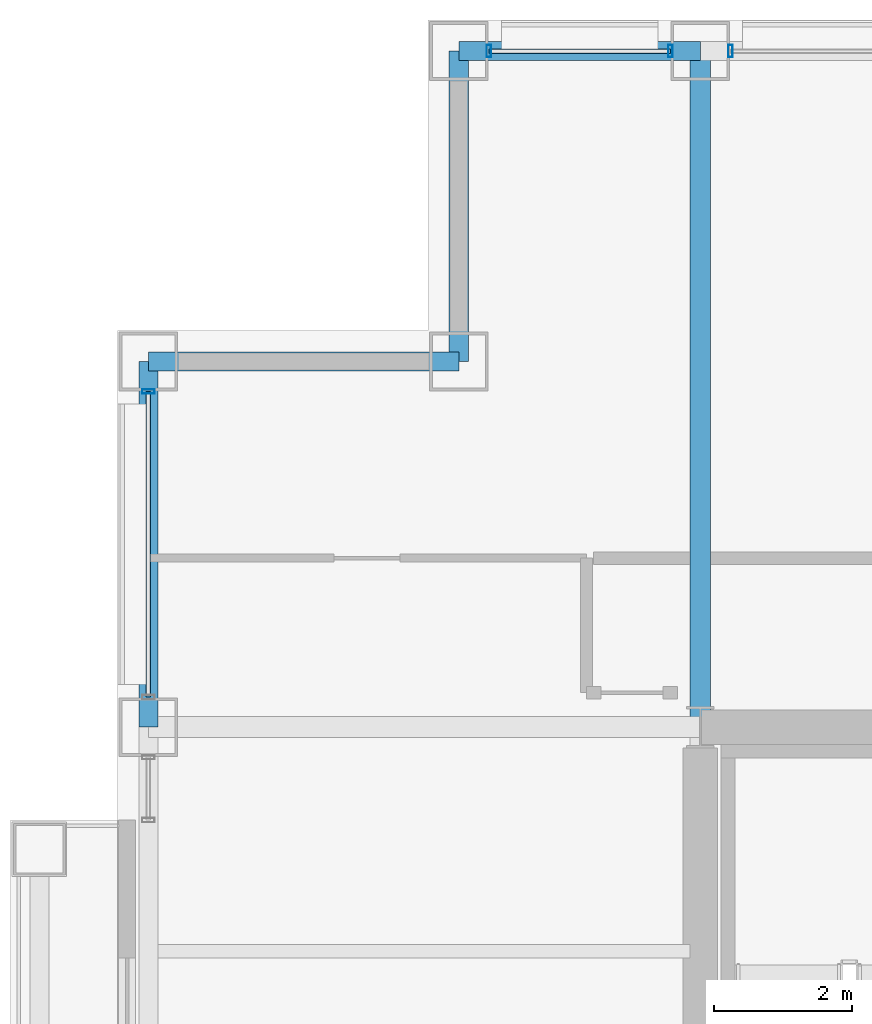
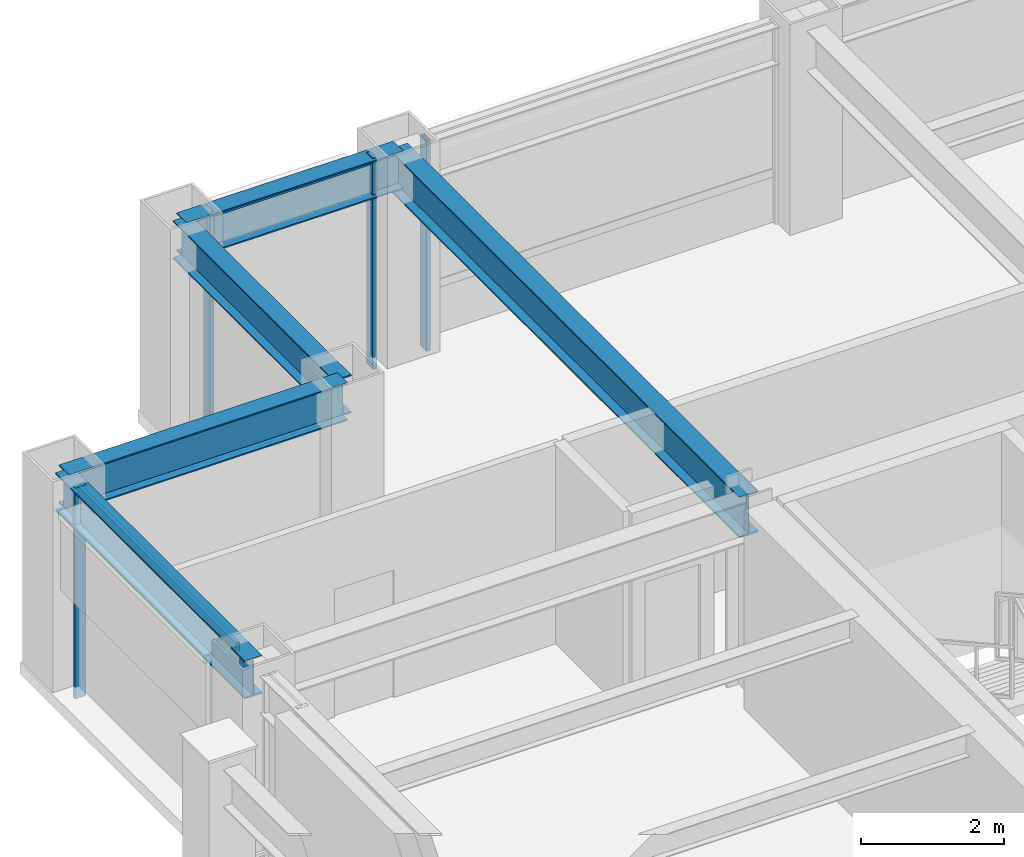
# One storey, part 17 of 29: 6 members, 5 beams, 3 elements without a shape of their own.
"""IFC4 building model written with IfcOpenShell, lengths in metres."""

from ifc_helpers import new_model, si_unit, direction, frame, origin, origin_2d, place, context, subcontext, project, spatial, hollow_rectangle, i_section, extrude, material, layer, layer_set, material_profile, profile_set, type_object, element, aggregate, save


model = new_model("IFC4")

# Units and contexts
model_context = context("Model", 3, precision=1e-05, world=origin(), true_north=direction((0.0, 1.0)))
body_context = subcontext(model_context, "Body", "Model", "MODEL_VIEW")
ifc_project = project(units=[si_unit("LENGTHUNIT", "METRE"), si_unit("AREAUNIT", "SQUARE_METRE"), si_unit("VOLUMEUNIT", "CUBIC_METRE"), si_unit("PLANEANGLEUNIT", "RADIAN"), si_unit("MASSUNIT", "GRAM", prefix="KILO")], contexts=[model_context])

# Site, building, storey
site_placement = place(None, origin())
site = spatial("IfcSite", under=ifc_project, at=site_placement, CompositionType="ELEMENT")
building_placement = place(site_placement, origin())
building = spatial("IfcBuilding", under=site, at=building_placement, Name="Brelmoor Portico Tower", CompositionType="ELEMENT")
storey_placement = place(building_placement, frame((0.0, 0.0, 95.39990234375)))
storey = spatial("IfcBuildingStorey", under=building, at=storey_placement, Name="L24", CompositionType="ELEMENT", Elevation=95.39990234375)

# Beams
ifc_material_1 = material(Name="Steel Q355B", Category="steel")
ifc_material_profile_1 = material_profile(ifc_material_1, i_section(OverallWidth=0.300048828125, OverallDepth=0.699951171875, WebThickness=0.012939453125, FlangeThickness=0.02392578125, at=origin_2d()), Name="HN 700x300x13x24")
ifc_profile_set_1 = profile_set([ifc_material_profile_1], Name="Steel Q355B")
beam_type_1 = type_object("IfcBeamType", Name="BM-PG-700", PredefinedType="BEAM", material=ifc_profile_set_1)
beam_1_placement = place(storey_placement, frame((-14.550048828125, 9.75, 3.050048828125), z_axis=(0.0, 1.0, 0.0), x_axis=(-1.0, 0.0, 0.0)))
element("IfcBeam", 1, at=beam_1_placement, inside=storey, type_object=beam_type_1, Name="L24 Primary Floor Girder PG-04", PredefinedType="BEAM", context=body_context, shape_type="SweptSolid", body=[
    extrude(i_section(OverallWidth=0.300048828125, OverallDepth=0.699951171875, WebThickness=0.012939453125, FlangeThickness=0.02392578125, at=origin_2d()), origin(), (0.0, 0.0, 1.0), 9.800048828125),
])
ifc_material_profile_2 = material_profile(ifc_material_1, i_section(OverallWidth=0.280029296875, OverallDepth=0.64990234375, WebThickness=0.012939453125, FlangeThickness=0.02197265625, at=origin_2d()), Name="HN 650x280x13x22")
ifc_profile_set_2 = profile_set([ifc_material_profile_2], Name="Steel Q355B")
beam_type_2 = type_object("IfcBeamType", Name="BM-SP-650", PredefinedType="SPANDREL", material=ifc_profile_set_2)
beam_2_placement = place(storey_placement, frame((-22.550048828125, 15.050048828125, 3.0751953125), z_axis=(1.0, 0.0, 0.0), x_axis=(0.0, 1.0, 0.0)))
element("IfcBeam", 2, at=beam_2_placement, inside=storey, type_object=beam_type_2, Name="L24 Perimeter Spandrel Beam SP-08", PredefinedType="SPANDREL", context=body_context, shape_type="SweptSolid", body=[
    extrude(i_section(OverallWidth=0.280029296875, OverallDepth=0.64990234375, WebThickness=0.012939453125, FlangeThickness=0.02197265625, at=origin_2d()), origin(), (0.0, 0.0, 1.0), 4.5),
])
beam_3_placement = place(storey_placement, frame((-18.050048828125, 19.550048828125, 3.0751953125), z_axis=(1.0, 0.0, 0.0), x_axis=(0.0, 1.0, 0.0)))
element("IfcBeam", 3, at=beam_3_placement, inside=storey, type_object=beam_type_2, Name="L24 Perimeter Spandrel Beam SP-10", PredefinedType="SPANDREL", context=body_context, shape_type="SweptSolid", body=[
    extrude(i_section(OverallWidth=0.280029296875, OverallDepth=0.64990234375, WebThickness=0.012939453125, FlangeThickness=0.02197265625, at=origin_2d()), origin(), (0.0, 0.0, 1.0), 3.5),
])
beam_4_placement = place(storey_placement, frame((-22.550048828125, 9.75, 3.0751953125), z_axis=(0.0, 1.0, 0.0), x_axis=(-1.0, 0.0, 0.0)))
element("IfcBeam", 4, at=beam_4_placement, inside=storey, type_object=beam_type_2, Name="L24 Perimeter Spandrel Beam SP-17", PredefinedType="SPANDREL", context=body_context, shape_type="SweptSolid", body=[
    extrude(i_section(OverallWidth=0.280029296875, OverallDepth=0.64990234375, WebThickness=0.012939453125, FlangeThickness=0.02197265625, at=origin_2d()), origin(), (0.0, 0.0, 1.0), 5.300048828125),
])
beam_5_placement = place(storey_placement, frame((-18.050048828125, 15.050048828125, 3.0751953125), z_axis=(0.0, 1.0, 0.0), x_axis=(-1.0, 0.0, 0.0)))
element("IfcBeam", 5, at=beam_5_placement, inside=storey, type_object=beam_type_2, Name="L24 Perimeter Spandrel Beam SP-19", PredefinedType="SPANDREL", context=body_context, shape_type="SweptSolid", body=[
    extrude(i_section(OverallWidth=0.280029296875, OverallDepth=0.64990234375, WebThickness=0.012939453125, FlangeThickness=0.02197265625, at=origin_2d()), origin(), (0.0, 0.0, 1.0), 4.5),
])

# Curtain wall, members
ifc_material_2 = material(Name="Anodised Aluminium Alloy 6063-T6", Category="aluminium")
ifc_layer_1 = layer(ifc_material_2, 0.179931640625)
ifc_layer_set_1 = layer_set([ifc_layer_1], Name="Anodised Aluminium Alloy 6063-T6")
curtain_wall_type_1 = type_object("IfcCurtainWallType", Name="CW-TOWER-Z2-XB", PredefinedType="NOTDEFINED", material=ifc_layer_set_1)
curtain_wall_1_placement = place(storey_placement, origin())
curtain_wall_1 = element("IfcCurtainWall", 6, at=curtain_wall_1_placement, inside=storey, type_object=curtain_wall_type_1, Name="L24 Curtain Wall CW-L24-02-1", PredefinedType="NOTDEFINED")
ifc_material_profile_3 = material_profile(ifc_material_2, hollow_rectangle(XDim=0.06494140625, YDim=0.179931640625, WallThickness=0.00390625, at=origin_2d()), Name="ALU MULLION 65x180")
ifc_profile_set_3 = profile_set([ifc_material_profile_3], Name="Anodised Aluminium Alloy 6063-T6")
member_type_1 = type_object("IfcMemberType", Name="MB-CW-MULL-180", PredefinedType="MULLION", material=ifc_profile_set_3)
member_1_placement = place(storey_placement, frame((-17.614990234375, 19.550048828125, -0.199951171875), z_axis=(0.0, 0.0, 1.0), x_axis=(1.0, 0.0, 0.0)))
member_1 = element("IfcMember", 7, at=member_1_placement, type_object=member_type_1, Name="CW-L24-02-1 Mullion 00", PredefinedType="MULLION", context=body_context, shape_type="SweptSolid", body=[
    extrude(hollow_rectangle(XDim=0.06494140625, YDim=0.179931640625, WallThickness=0.00390625, at=origin_2d()), origin(), (0.0, 0.0, 1.0), 3.60009765625),
])
member_2_placement = place(storey_placement, frame((-14.985107421875, 19.550048828125, -0.199951171875), z_axis=(0.0, 0.0, 1.0), x_axis=(1.0, 0.0, 0.0)))
member_2 = element("IfcMember", 8, at=member_2_placement, type_object=member_type_1, Name="CW-L24-02-1 Mullion 01", PredefinedType="MULLION", context=body_context, shape_type="SweptSolid", body=[
    extrude(hollow_rectangle(XDim=0.06494140625, YDim=0.179931640625, WallThickness=0.00390625, at=origin_2d()), origin(), (0.0, 0.0, 1.0), 3.60009765625),
])

# Curtain wall, member
ifc_layer_2 = layer(ifc_material_2, 0.179931640625)
ifc_layer_set_2 = layer_set([ifc_layer_2], Name="Anodised Aluminium Alloy 6063-T6")
curtain_wall_type_2 = type_object("IfcCurtainWallType", Name="CW-TOWER-Z2", PredefinedType="NOTDEFINED", material=ifc_layer_set_2)
curtain_wall_2_placement = place(storey_placement, origin())
curtain_wall_2 = element("IfcCurtainWall", 9, at=curtain_wall_2_placement, inside=storey, type_object=curtain_wall_type_2, Name="L24 Curtain Wall CW-L24-02-2", PredefinedType="NOTDEFINED")
member_3_placement = place(storey_placement, frame((-14.114990234375, 19.550048828125, -0.199951171875), z_axis=(0.0, 0.0, 1.0), x_axis=(1.0, 0.0, 0.0)))
member_3 = element("IfcMember", 10, at=member_3_placement, type_object=member_type_1, Name="CW-L24-02-2 Mullion 00", PredefinedType="MULLION", context=body_context, shape_type="SweptSolid", body=[
    extrude(hollow_rectangle(XDim=0.06494140625, YDim=0.179931640625, WallThickness=0.00390625, at=origin_2d()), origin(), (0.0, 0.0, 1.0), 3.60009765625),
])
aggregate(curtain_wall_2, [member_3])

curtain_wall_3_placement = place(storey_placement, origin())
curtain_wall_3 = element("IfcCurtainWall", 11, at=curtain_wall_3_placement, inside=storey, type_object=curtain_wall_type_1, Name="L24 Curtain Wall CW-L24-3R-2", PredefinedType="NOTDEFINED")
member_4_placement = place(storey_placement, frame((-22.550048828125, 14.614990234375, -0.199951171875), z_axis=(0.0, 0.0, 1.0), x_axis=(0.0, 1.0, 0.0)))
member_4 = element("IfcMember", 12, at=member_4_placement, type_object=member_type_1, Name="CW-L24-3R-2 Mullion 01", PredefinedType="MULLION", context=body_context, shape_type="SweptSolid", body=[
    extrude(hollow_rectangle(XDim=0.06494140625, YDim=0.179931640625, WallThickness=0.00390625, at=origin_2d()), origin(), (0.0, 0.0, 1.0), 3.60009765625),
])

# Member
ifc_material_profile_4 = material_profile(ifc_material_2, hollow_rectangle(XDim=0.06494140625, YDim=0.139892578125, WallThickness=0.00390625, at=origin_2d()), Name="ALU TRANSOM 65x140")
ifc_profile_set_4 = profile_set([ifc_material_profile_4], Name="Anodised Aluminium Alloy 6063-T6")
member_type_2 = type_object("IfcMemberType", Name="MB-CW-TRAN-140", PredefinedType="USERDEFINED", material=ifc_profile_set_4)
member_5_placement = place(storey_placement, frame((-17.614990234375, 19.550048828125, 3.330078125), z_axis=(1.0, 0.0, 0.0), x_axis=(0.0, 1.0, 0.0)))
member_5 = element("IfcMember", 13, at=member_5_placement, type_object=member_type_2, Name="CW-L24-02-1 Transom 1-00", ObjectType="TRANSOM", PredefinedType="USERDEFINED", context=body_context, shape_type="SweptSolid", body=[
    extrude(hollow_rectangle(XDim=0.06494140625, YDim=0.139892578125, WallThickness=0.00390625, at=origin_2d()), origin(), (0.0, 0.0, 1.0), 2.6298828125),
])

aggregate(curtain_wall_1, [member_1, member_2, member_5])

member_6_placement = place(storey_placement, frame((-22.550048828125, 10.18505859375, 3.330078125), z_axis=(0.0, 1.0, 0.0), x_axis=(-1.0, 0.0, 0.0)))
member_6 = element("IfcMember", 14, at=member_6_placement, type_object=member_type_2, Name="CW-L24-3R-2 Transom 1-00", ObjectType="TRANSOM", PredefinedType="USERDEFINED", context=body_context, shape_type="SweptSolid", body=[
    extrude(hollow_rectangle(XDim=0.06494140625, YDim=0.139892578125, WallThickness=0.00390625, at=origin_2d()), origin(), (0.0, 0.0, 1.0), 4.429931640625),
])

aggregate(curtain_wall_3, [member_4, member_6])

save(model, "model.ifc")
